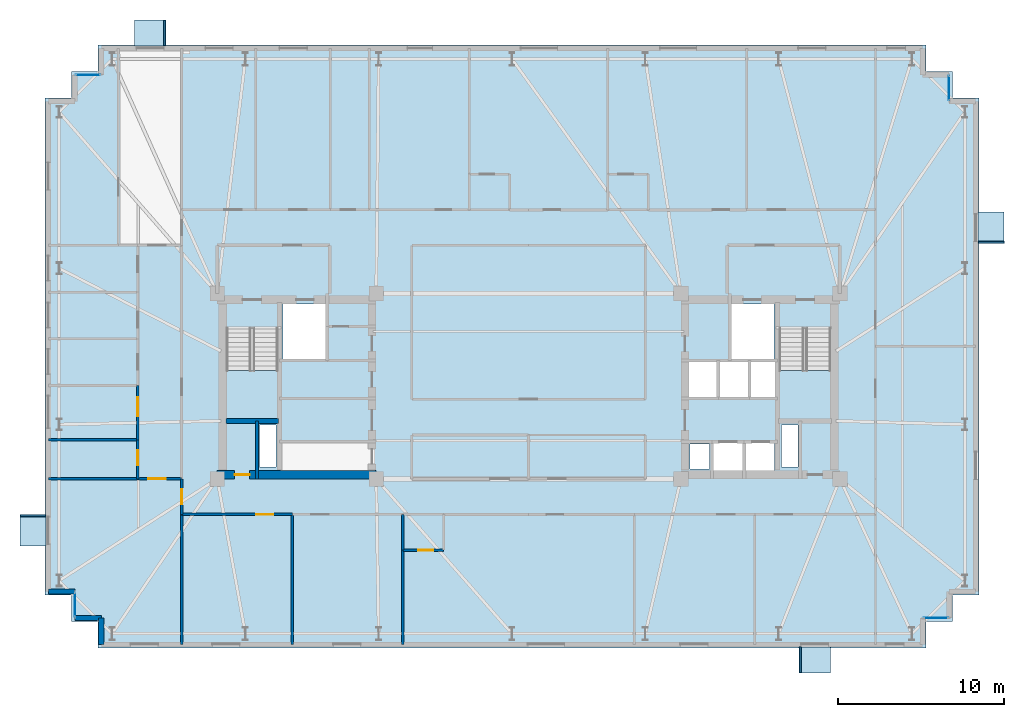
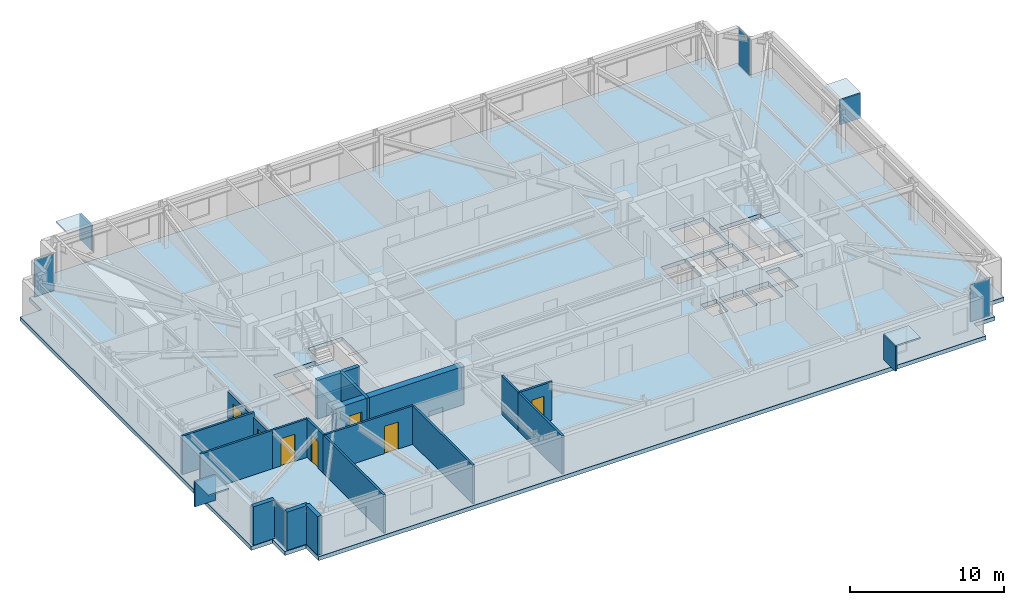
# One storey, part 10 of 17: 18 walls, 12 plates, 7 doors, 3 slabs, 7 openings, 6 elements without a shape of their own.
"""IFC4 building model written with IfcOpenShell, lengths in metres."""

from ifc_helpers import new_model, si_unit, direction, frame, frame_2d, origin, origin_2d, place, context, subcontext, project, spatial, polyline, rectangle, outline, extrude, material, layer, layer_set, type_object, element, fill, aggregate, save


model = new_model("IFC4")

# Units and contexts
model_context = context("Model", 3, precision=1e-05, world=origin(), true_north=direction((0.0, 1.0)))
body_context = subcontext(model_context, "Body", "Model", "MODEL_VIEW")
ifc_project = project(units=[si_unit("LENGTHUNIT", "METRE"), si_unit("AREAUNIT", "SQUARE_METRE"), si_unit("VOLUMEUNIT", "CUBIC_METRE"), si_unit("PLANEANGLEUNIT", "RADIAN"), si_unit("MASSUNIT", "GRAM", prefix="KILO")], contexts=[model_context])

# Site, building, storey
site_placement = place(None, origin())
site = spatial("IfcSite", under=ifc_project, at=site_placement, CompositionType="ELEMENT")
building_placement = place(site_placement, origin())
building = spatial("IfcBuilding", under=site, at=building_placement, Name="Qobustan Lattice House", CompositionType="ELEMENT")
storey_placement = place(building_placement, frame((0.0, 0.0, 164.5)))
storey = spatial("IfcBuildingStorey", under=building, at=storey_placement, Name="L46", CompositionType="ELEMENT", Elevation=164.5)

# Curtain wall, plate
ifc_material_1 = material(Name="Anodised aluminium and low-E glazing", Category="aluminium")
ifc_layer_1 = layer(ifc_material_1, 0.219970703125)
ifc_layer_set_1 = layer_set([ifc_layer_1], Name="Anodised aluminium and low-E glazing")
curtain_wall_type = type_object("IfcCurtainWallType", Name="CW-FAC-02", PredefinedType="USERDEFINED", material=ifc_layer_set_1)
curtain_wall_1_placement = place(storey_placement, origin())
curtain_wall_1 = element("IfcCurtainWall", 1, at=curtain_wall_1_placement, inside=storey, type_object=curtain_wall_type, Name="L46 serrated corner faceted glazing 3", ObjectType="CURTAIN WALL", PredefinedType="USERDEFINED")
ifc_material_2 = material(Name="Clear low-E laminated glass", Category="glass")
ifc_layer_2 = layer(ifc_material_2, 0.031982421875)
ifc_layer_set_2 = layer_set([ifc_layer_2], Name="Clear low-E laminated glass")
plate_type_1 = type_object("IfcPlateType", Name="CWP-VISION-32", PredefinedType="CURTAIN_PANEL", material=ifc_layer_set_2)
plate_1_placement = place(storey_placement, frame((-27.39990234375, -13.199951171875, 0.06494140625), z_axis=(0.0, 0.0, 1.0), x_axis=(0.0, 1.0, 0.0)))
plate_1 = element("IfcPlate", 2, at=plate_1_placement, type_object=plate_type_1, Name="CW-F2 panel 1.1", PredefinedType="CURTAIN_PANEL", context=body_context, shape_type="SweptSolid", body=[
    extrude(rectangle(XDim=1.4599609375, YDim=0.031982421875, at=origin_2d()), origin(), (0.0, 0.0, 1.0), 2.909912109375),
])
aggregate(curtain_wall_1, [plate_1])

curtain_wall_2_placement = place(storey_placement, origin())
curtain_wall_2 = element("IfcCurtainWall", 3, at=curtain_wall_2_placement, inside=storey, type_object=curtain_wall_type, Name="L46 serrated corner faceted glazing 8", ObjectType="CURTAIN WALL", PredefinedType="USERDEFINED")
plate_2_placement = place(storey_placement, frame((-26.60009765625, 18.800048828125, 0.06494140625), z_axis=(0.0, 0.0, 1.0), x_axis=(1.0, 0.0, 0.0)))
plate_2 = element("IfcPlate", 4, at=plate_2_placement, type_object=plate_type_1, Name="CW-F2 panel 1.1", PredefinedType="CURTAIN_PANEL", context=body_context, shape_type="SweptSolid", body=[
    extrude(rectangle(XDim=1.4599609375, YDim=0.031982421875, at=origin_2d()), origin(), (0.0, 0.0, 1.0), 2.909912109375),
])
aggregate(curtain_wall_2, [plate_2])

curtain_wall_3_placement = place(storey_placement, origin())
curtain_wall_3 = element("IfcCurtainWall", 5, at=curtain_wall_3_placement, inside=storey, type_object=curtain_wall_type, Name="L46 serrated corner faceted glazing 13", ObjectType="CURTAIN WALL", PredefinedType="USERDEFINED")
plate_3_placement = place(storey_placement, frame((25.39990234375, 18.0, 0.06494140625), z_axis=(0.0, 0.0, 1.0), x_axis=(0.0, -1.0, 0.0)))
plate_3 = element("IfcPlate", 6, at=plate_3_placement, type_object=plate_type_1, Name="CW-F2 panel 1.1", PredefinedType="CURTAIN_PANEL", context=body_context, shape_type="SweptSolid", body=[
    extrude(rectangle(XDim=1.4599609375, YDim=0.031982421875, at=origin_2d()), origin(), (0.0, 0.0, 1.0), 2.909912109375),
])
aggregate(curtain_wall_3, [plate_3])

curtain_wall_4_placement = place(storey_placement, origin())
curtain_wall_4 = element("IfcCurtainWall", 7, at=curtain_wall_4_placement, inside=storey, type_object=curtain_wall_type, Name="L46 serrated corner faceted glazing 18", ObjectType="CURTAIN WALL", PredefinedType="USERDEFINED")
plate_4_placement = place(storey_placement, frame((24.60009765625, -14.0, 0.06494140625), z_axis=(0.0, 0.0, 1.0), x_axis=(-1.0, 0.0, 0.0)))
plate_4 = element("IfcPlate", 8, at=plate_4_placement, type_object=plate_type_1, Name="CW-F2 panel 1.1", PredefinedType="CURTAIN_PANEL", context=body_context, shape_type="SweptSolid", body=[
    extrude(rectangle(XDim=1.4599609375, YDim=0.031982421875, at=origin_2d()), origin(), (0.0, 0.0, 1.0), 2.909912109375),
])
aggregate(curtain_wall_4, [plate_4])

# Plates
ifc_material_3 = material(Name="Qobustan limestone GFRC", Category="masonry")
ifc_layer_3 = layer(ifc_material_3, 0.1201171875)
ifc_layer_set_3 = layer_set([ifc_layer_3], Name="Qobustan limestone GFRC")
plate_type_2 = type_object("IfcPlateType", Name="SHD-HOOD-BROW", PredefinedType="USERDEFINED", material=ifc_layer_set_3)
plate_5_placement = place(storey_placement, frame((-29.929931640625, -8.719970703125, 2.699951171875), z_axis=(0.0, 0.0, 1.0), x_axis=(0.0, 1.0, 0.0)))
element("IfcPlate", 9, at=plate_5_placement, inside=storey, type_object=plate_type_2, Name="L46 splayed Qobustan stone hood brow", ObjectType="SUNSHADE", PredefinedType="USERDEFINED", context=body_context, shape_type="SweptSolid", body=[
    extrude(rectangle(XDim=1.889892578125, YDim=1.56005859375, at=origin_2d()), origin(), (0.0, 0.0, 1.0), 0.1201171875),
])
plate_6_placement = place(storey_placement, frame((-29.929931640625, -7.8349609375, 0.7900390625), z_axis=(0.0, 0.0, 1.0), x_axis=(0.0, 1.0, 0.0)))
element("IfcPlate", 10, at=plate_6_placement, inside=storey, type_object=plate_type_2, Name="L46 splayed Qobustan stone hood cheek", ObjectType="SUNSHADE", PredefinedType="USERDEFINED", context=body_context, shape_type="SweptSolid", body=[
    extrude(rectangle(XDim=0.1201171875, YDim=1.56005859375, at=origin_2d()), origin(), (0.0, 0.0, 1.0), 1.969970703125),
])
plate_7_placement = place(storey_placement, frame((-22.840087890625, 21.330078125, 2.699951171875), z_axis=(0.0, 0.0, 1.0), x_axis=(1.0, 0.0, 0.0)))
element("IfcPlate", 11, at=plate_7_placement, inside=storey, type_object=plate_type_2, Name="L46 splayed Qobustan stone hood brow", ObjectType="SUNSHADE", PredefinedType="USERDEFINED", context=body_context, shape_type="SweptSolid", body=[
    extrude(rectangle(XDim=1.889892578125, YDim=1.56005859375, at=origin_2d()), origin(), (0.0, 0.0, 1.0), 0.1201171875),
])
plate_8_placement = place(storey_placement, frame((-21.955078125, 21.330078125, 0.7900390625), z_axis=(0.0, 0.0, 1.0), x_axis=(1.0, 0.0, 0.0)))
element("IfcPlate", 12, at=plate_8_placement, inside=storey, type_object=plate_type_2, Name="L46 splayed Qobustan stone hood cheek", ObjectType="SUNSHADE", PredefinedType="USERDEFINED", context=body_context, shape_type="SweptSolid", body=[
    extrude(rectangle(XDim=0.1201171875, YDim=1.56005859375, at=origin_2d()), origin(), (0.0, 0.0, 1.0), 1.969970703125),
])
plate_9_placement = place(storey_placement, frame((27.929931640625, 9.56005859375, 2.699951171875), z_axis=(0.0, 0.0, 1.0), x_axis=(0.0, -1.0, 0.0)))
element("IfcPlate", 13, at=plate_9_placement, inside=storey, type_object=plate_type_2, Name="L46 splayed Qobustan stone hood brow", ObjectType="SUNSHADE", PredefinedType="USERDEFINED", context=body_context, shape_type="SweptSolid", body=[
    extrude(rectangle(XDim=1.889892578125, YDim=1.56005859375, at=origin_2d()), origin(), (0.0, 0.0, 1.0), 0.1201171875),
])
plate_10_placement = place(storey_placement, frame((27.929931640625, 8.675048828125, 0.7900390625), z_axis=(0.0, 0.0, 1.0), x_axis=(0.0, -1.0, 0.0)))
element("IfcPlate", 14, at=plate_10_placement, inside=storey, type_object=plate_type_2, Name="L46 splayed Qobustan stone hood cheek", ObjectType="SUNSHADE", PredefinedType="USERDEFINED", context=body_context, shape_type="SweptSolid", body=[
    extrude(rectangle(XDim=0.1201171875, YDim=1.56005859375, at=origin_2d()), origin(), (0.0, 0.0, 1.0), 1.969970703125),
])
plate_11_placement = place(storey_placement, frame((17.280029296875, -16.530029296875, 2.699951171875), z_axis=(0.0, 0.0, 1.0), x_axis=(-1.0, 0.0, 0.0)))
element("IfcPlate", 15, at=plate_11_placement, inside=storey, type_object=plate_type_2, Name="L46 splayed Qobustan stone hood brow", ObjectType="SUNSHADE", PredefinedType="USERDEFINED", context=body_context, shape_type="SweptSolid", body=[
    extrude(rectangle(XDim=1.889892578125, YDim=1.56005859375, at=origin_2d()), origin(), (0.0, 0.0, 1.0), 0.1201171875),
])
plate_12_placement = place(storey_placement, frame((16.39501953125, -16.530029296875, 0.7900390625), z_axis=(0.0, 0.0, 1.0), x_axis=(-1.0, 0.0, 0.0)))
element("IfcPlate", 16, at=plate_12_placement, inside=storey, type_object=plate_type_2, Name="L46 splayed Qobustan stone hood cheek", ObjectType="SUNSHADE", PredefinedType="USERDEFINED", context=body_context, shape_type="SweptSolid", body=[
    extrude(rectangle(XDim=0.1201171875, YDim=1.56005859375, at=origin_2d()), origin(), (0.0, 0.0, 1.0), 1.969970703125),
])

# Slab
ifc_material_4 = material(Name="Concrete C40/50", Category="concrete")
ifc_layer_4 = layer(ifc_material_4, 0.31005859375)
ifc_layer_set_4 = layer_set([ifc_layer_4], Name="Concrete C40/50")
slab_type_1 = type_object("IfcSlabType", Name="SLB-FLR-310", PredefinedType="FLOOR", material=ifc_layer_set_4)
slab_1_placement = place(storey_placement, frame((0.0, 0.0, -0.31005859375)))
element("IfcSlab", 17, at=slab_1_placement, inside=storey, type_object=slab_type_1, Name="L46 structural floor slab", PredefinedType="FLOOR", context=body_context, shape_type="SweptSolid", body=[
    extrude(outline(polyline([(-26.0, -15.800048828125), (24.0, -15.800048828125), (24.0, -14.199951171875), (25.60009765625, -14.199951171875), (25.60009765625, -12.60009765625), (27.199951171875, -12.60009765625), (27.199951171875, 17.39990234375), (25.60009765625, 17.39990234375), (25.60009765625, 19.0), (24.0, 19.0), (24.0, 20.60009765625), (-26.0, 20.60009765625), (-26.0, 19.0), (-27.60009765625, 19.0), (-27.60009765625, 17.39990234375), (-29.199951171875, 17.39990234375), (-29.199951171875, -12.60009765625), (-27.60009765625, -12.60009765625), (-27.60009765625, -14.199951171875), (-26.0, -14.199951171875), (-26.0, -15.800048828125)]), holes=[polyline([(-18.25, -2.050048828125), (-18.25, 3.489990234375), (-15.1298828125, 3.489990234375), (-15.1298828125, -2.050048828125), (-18.25, -2.050048828125)]), polyline([(15.1298828125, -2.050048828125), (15.1298828125, 3.489990234375), (18.25, 3.489990234375), (18.25, -2.050048828125), (15.1298828125, -2.050048828125)]), polyline([(-14.820068359375, 1.64990234375), (-14.820068359375, 4.9599609375), (-12.25, 4.9599609375), (-12.25, 1.64990234375), (-14.820068359375, 1.64990234375)]), polyline([(12.25, 1.64990234375), (12.25, 4.9599609375), (14.820068359375, 4.9599609375), (14.820068359375, 1.64990234375), (12.25, 1.64990234375)]), polyline([(-16.260009765625, -4.8798828125), (-16.260009765625, -2.360107421875), (-15.260009765625, -2.360107421875), (-15.260009765625, -4.8798828125), (-16.260009765625, -4.8798828125)]), polyline([(15.260009765625, -4.8798828125), (15.260009765625, -2.360107421875), (16.260009765625, -2.360107421875), (16.260009765625, -4.8798828125), (15.260009765625, -4.8798828125)]), polyline([(11.179931640625, -5.35009765625), (11.179931640625, -3.419921875), (12.919921875, -3.419921875), (12.919921875, -5.35009765625), (11.179931640625, -5.35009765625)]), polyline([(13.1201171875, -5.35009765625), (13.1201171875, -3.419921875), (14.85009765625, -3.419921875), (14.85009765625, -5.35009765625), (13.1201171875, -5.35009765625)]), polyline([(9.760009765625, -5.0), (9.760009765625, -3.47998046875), (10.93994140625, -3.47998046875), (10.93994140625, -5.0), (9.760009765625, -5.0)]), polyline([(13.360107421875, -0.679931640625), (13.360107421875, 1.47998046875), (14.97998046875, 1.47998046875), (14.97998046875, -0.679931640625), (13.360107421875, -0.679931640625)]), polyline([(9.6201171875, -0.679931640625), (9.6201171875, 1.47998046875), (11.43994140625, 1.47998046875), (11.43994140625, -0.679931640625), (9.6201171875, -0.679931640625)]), polyline([(11.5, -0.679931640625), (11.5, 1.47998046875), (13.320068359375, 1.47998046875), (13.320068359375, -0.679931640625), (11.5, -0.679931640625)])]), origin(), (0.0, 0.0, 1.0), 0.31005859375),
])

# Stair, slab
ifc_material_5 = material(Name="Concrete C40/50", Category="concrete")
stair_type = type_object("IfcStairType", Name="STR-CORE-DOGLEG", PredefinedType="HALF_TURN_STAIR", material=ifc_material_5)
stair_1_placement = place(storey_placement, origin())
stair_1 = element("IfcStair", 18, at=stair_1_placement, inside=storey, type_object=stair_type, Name="L46 West protected exit stair ST-W1", PredefinedType="HALF_TURN_STAIR")
ifc_material_6 = material(Name="Concrete C40/50", Category="concrete")
ifc_layer_5 = layer(ifc_material_6, 0.199951171875)
ifc_layer_set_5 = layer_set([ifc_layer_5], Name="Concrete C40/50")
slab_type_2 = type_object("IfcSlabType", Name="SLB-LANDING-200", PredefinedType="LANDING", material=ifc_layer_set_5)
slab_2_placement = place(storey_placement, frame((0.0, 0.0, 1.47509765625)))
slab_2 = element("IfcSlab", 19, at=slab_2_placement, type_object=slab_type_2, Name="ST-W1 landing 1", PredefinedType="LANDING", context=body_context, shape_type="SweptSolid", body=[
    extrude(outline(polyline([(-18.25, 0.93505859375), (-18.25, -2.050048828125), (-15.1298828125, -2.050048828125), (-15.1298828125, 0.93505859375), (-18.25, 0.93505859375)])), origin(), (0.0, 0.0, 1.0), 0.199951171875),
])
aggregate(stair_1, [slab_2])

stair_2_placement = place(storey_placement, origin())
stair_2 = element("IfcStair", 20, at=stair_2_placement, inside=storey, type_object=stair_type, Name="L46 East protected exit stair ST-E1", PredefinedType="HALF_TURN_STAIR")
slab_3_placement = place(storey_placement, frame((0.0, 0.0, 1.47509765625)))
slab_3 = element("IfcSlab", 21, at=slab_3_placement, type_object=slab_type_2, Name="ST-E1 landing 1", PredefinedType="LANDING", context=body_context, shape_type="SweptSolid", body=[
    extrude(outline(polyline([(15.1298828125, 0.93505859375), (15.1298828125, -2.050048828125), (18.25, -2.050048828125), (18.25, 0.93505859375), (15.1298828125, 0.93505859375)])), origin(), (0.0, 0.0, 1.0), 0.199951171875),
])
aggregate(stair_2, [slab_3])

# Wall, opening, door
ifc_material_7 = material(Name="Concrete C50/60", Category="concrete")
ifc_layer_6 = layer(ifc_material_7, 0.5)
ifc_layer_set_6 = layer_set([ifc_layer_6], Name="Concrete C50/60")
wall_type_1 = type_object("IfcWallType", Name="WAL-CORE-500", PredefinedType="SHEAR", material=ifc_layer_set_6)
wall_1_placement = place(storey_placement, frame((-18.800048828125, -5.35009765625, 0.0), z_axis=(0.0, 0.0, 1.0), x_axis=(1.0, 0.0, 0.0)))
wall_1 = element("IfcWall", 22, at=wall_1_placement, inside=storey, type_object=wall_type_1, Name="L46 split-core shear wall CW-S", PredefinedType="SHEAR", context=body_context, shape_type="SweptSolid", body=[
    extrude(rectangle(XDim=9.60009765625, YDim=0.5, at=frame_2d((4.800048828125, 0.0))), origin(), (0.0, 0.0, 1.0), 3.0400390625),
])
opening_1_placement = place(wall_1_placement, frame((1.050048828125, 0.0, 0.0)))
opening_1 = element("IfcOpeningElement", 23, at=opening_1_placement, cuts=wall_1, Name="Opening RD-01", PredefinedType="OPENING", context=body_context, shape_type="SweptSolid", body=[
    extrude(rectangle(XDim=0.89990234375, YDim=2.10009765625, at=frame_2d((0.449951171875, 1.050048828125))), frame((0.0, 0.260009765625, 0.0), z_axis=(0.0, -1.0, 0.0), x_axis=(1.0, 0.0, 0.0)), (0.0, 0.0, 1.0), 0.52001953125),
])
ifc_material_8 = material(Name="Persian walnut timber and steel frame door", Category="steel")
door_type_1 = type_object("IfcDoorType", Name="DOR-RISER-FD-900x2100", OperationType="NOTDEFINED", PredefinedType="DOOR", material=ifc_material_8)
door_1_placement = place(opening_1_placement, origin())
door_1 = element("IfcDoor", 24, at=door_1_placement, inside=storey, type_object=door_type_1, Name="L46 core service riser access door W", OperationType="SINGLE_SWING_LEFT", OverallHeight=2.10009765625, OverallWidth=0.89990234375, PredefinedType="DOOR", context=body_context, shape_type="SweptSolid", body=[
    extrude(rectangle(XDim=0.89990234375, YDim=2.10009765625, at=frame_2d((0.449951171875, 1.050048828125))), frame((0.0, 0.02490234375, 0.0), z_axis=(0.0, -1.0, 0.0), x_axis=(1.0, 0.0, 0.0)), (0.0, 0.0, 1.0), 0.050048828125),
])
fill(opening_1, door_1)

# Walls
ifc_material_9 = material(Name="Concrete C50/60", Category="concrete")
ifc_layer_7 = layer(ifc_material_9, 0.280029296875)
ifc_layer_set_7 = layer_set([ifc_layer_7], Name="Concrete C50/60")
wall_type_2 = type_object("IfcWallType", Name="WAL-CORE-SPINE-280", PredefinedType="SHEAR", material=ifc_layer_set_7)
wall_2_placement = place(storey_placement, frame((-18.280029296875, -2.110107421875, 0.0), z_axis=(0.0, 0.0, 1.0), x_axis=(1.0, 0.0, 0.0)))
element("IfcWall", 25, at=wall_2_placement, inside=storey, type_object=wall_type_2, Name="L46 split-core shear wall CW-ST", PredefinedType="SHEAR", context=body_context, shape_type="SweptSolid", body=[
    extrude(rectangle(XDim=3.179931640625, YDim=0.300048828125, at=frame_2d((1.58984375, 0.0))), origin(), (0.0, 0.0, 1.0), 3.0400390625),
])
ifc_material_10 = material(Name="Precast concrete C40/50", Category="concrete")
ifc_layer_8 = layer(ifc_material_10, 0.320068359375)
ifc_layer_set_8 = layer_set([ifc_layer_8], Name="Precast concrete C40/50")
wall_type_3 = type_object("IfcWallType", Name="WAL-EXT-STONE-320", PredefinedType="SOLIDWALL", material=ifc_layer_set_8)
wall_3_placement = place(storey_placement, frame((-25.800048828125, -15.60009765625, 0.0), z_axis=(0.0, 0.0, 1.0), x_axis=(0.0, 1.0, 0.0)))
element("IfcWall", 26, at=wall_3_placement, inside=storey, type_object=wall_type_3, Name="L46 exterior limestone-clad wall 1", PredefinedType="SOLIDWALL", context=body_context, shape_type="SweptSolid", body=[
    extrude(rectangle(XDim=1.60009765625, YDim=0.320068359375, at=frame_2d((0.800048828125, 0.0))), origin(), (0.0, 0.0, 1.0), 3.0400390625),
])
wall_4_placement = place(storey_placement, frame((-25.800048828125, -14.0, 0.0), z_axis=(0.0, 0.0, 1.0), x_axis=(-1.0, 0.0, 0.0)))
element("IfcWall", 27, at=wall_4_placement, inside=storey, type_object=wall_type_3, Name="L46 exterior limestone-clad wall 2", PredefinedType="SOLIDWALL", context=body_context, shape_type="SweptSolid", body=[
    extrude(rectangle(XDim=1.599853515625, YDim=0.320068359375, at=frame_2d((0.7998046875, 0.0))), origin(), (0.0, 0.0, 1.0), 3.0400390625),
])
wall_5_placement = place(storey_placement, frame((-27.39990234375, -12.39990234375, 0.0), z_axis=(0.0, 0.0, 1.0), x_axis=(-1.0, 0.0, 0.0)))
element("IfcWall", 28, at=wall_5_placement, inside=storey, type_object=wall_type_3, Name="L46 exterior limestone-clad wall 4", PredefinedType="SOLIDWALL", context=body_context, shape_type="SweptSolid", body=[
    extrude(rectangle(XDim=1.60009765625, YDim=0.320068359375, at=frame_2d((0.800048828125, 0.0))), origin(), (0.0, 0.0, 1.0), 3.0400390625),
])

# Wall, opening, door
ifc_material_11 = material(Name="Acoustic twin-stud gypsum partition", Category="gypsum")
ifc_layer_9 = layer(ifc_material_11, 0.14990234375)
ifc_layer_set_9 = layer_set([ifc_layer_9], Name="Acoustic twin-stud gypsum partition")
wall_type_4 = type_object("IfcWallType", Name="WAL-PART-150", PredefinedType="PARTITIONING", material=ifc_layer_set_9)
wall_6_placement = place(storey_placement, frame((-20.949951171875, -7.75, 0.0), z_axis=(0.0, 0.0, 1.0), x_axis=(0.0, 1.0, 0.0)))
wall_6 = element("IfcWall", 29, at=wall_6_placement, inside=storey, type_object=wall_type_4, Name="L46 interior partition 46", PredefinedType="PARTITIONING", context=body_context, shape_type="SweptSolid", body=[
    extrude(rectangle(XDim=2.14990234375, YDim=0.14990234375, at=frame_2d((1.074951171875, 0.0))), origin(), (0.0, 0.0, 1.0), 3.0400390625),
])
opening_2_placement = place(wall_6_placement, frame((0.625, 0.0, 0.0)))
opening_2 = element("IfcOpeningElement", 30, at=opening_2_placement, cuts=wall_6, Name="Opening WD-01", PredefinedType="OPENING", context=body_context, shape_type="SweptSolid", body=[
    extrude(rectangle(XDim=0.89990234375, YDim=2.10009765625, at=frame_2d((0.449951171875, 1.050048828125))), frame((0.0, 0.0849609375, 0.0), z_axis=(0.0, -1.0, 0.0), x_axis=(1.0, 0.0, 0.0)), (0.0, 0.0, 1.0), 0.169921875),
])
ifc_material_12 = material(Name="Persian walnut timber and steel frame door", Category="steel")
door_type_2 = type_object("IfcDoorType", Name="DOR-WET-900x2100", OperationType="NOTDEFINED", PredefinedType="DOOR", material=ifc_material_12)
door_2_placement = place(opening_2_placement, origin())
door_2 = element("IfcDoor", 31, at=door_2_placement, inside=storey, type_object=door_type_2, Name="L46 South-west floor corridor to Reading study room L46WS door", OperationType="SINGLE_SWING_RIGHT", OverallHeight=2.10009765625, OverallWidth=0.89990234375, PredefinedType="DOOR", context=body_context, shape_type="SweptSolid", body=[
    extrude(rectangle(XDim=0.89990234375, YDim=2.10009765625, at=frame_2d((0.449951171875, 1.050048828125))), frame((0.0, 0.02490234375, 0.0), z_axis=(0.0, -1.0, 0.0), x_axis=(1.0, 0.0, 0.0)), (0.0, 0.0, 1.0), 0.050048828125),
])
fill(opening_2, door_2)

wall_7_placement = place(storey_placement, frame((-14.2666015625, -7.75, 0.0), z_axis=(0.0, 0.0, 1.0), x_axis=(-1.0, 0.0, 0.0)))
wall_7 = element("IfcWall", 32, at=wall_7_placement, inside=storey, type_object=wall_type_4, Name="L46 interior partition 47", PredefinedType="PARTITIONING", context=body_context, shape_type="SweptSolid", body=[
    extrude(rectangle(XDim=6.683349609375, YDim=0.14990234375, at=frame_2d((3.341796875, 0.0))), origin(), (0.0, 0.0, 1.0), 3.0400390625),
])
opening_3_placement = place(wall_7_placement, frame((1.13916015625, 0.0, 0.0)))
opening_3 = element("IfcOpeningElement", 33, at=opening_3_placement, cuts=wall_7, Name="Opening ID-02", PredefinedType="OPENING", context=body_context, shape_type="SweptSolid", body=[
    extrude(rectangle(XDim=1.050048828125, YDim=2.14990234375, at=frame_2d((0.52490234375, 1.074951171875))), frame((0.0, 0.0849609375, 0.0), z_axis=(0.0, -1.0, 0.0), x_axis=(1.0, 0.0, 0.0)), (0.0, 0.0, 1.0), 0.169921875),
])
ifc_material_13 = material(Name="Persian walnut timber and steel frame door", Category="steel")
door_type_3 = type_object("IfcDoorType", Name="DOR-STUDY-1050x2150", OperationType="NOTDEFINED", PredefinedType="DOOR", material=ifc_material_13)
door_3_placement = place(opening_3_placement, origin())
door_3 = element("IfcDoor", 34, at=door_3_placement, inside=storey, type_object=door_type_3, Name="L46 South-west floor corridor to Focus study room S1A door", OperationType="SINGLE_SWING_LEFT", OverallHeight=2.14990234375, OverallWidth=1.050048828125, PredefinedType="DOOR", context=body_context, shape_type="SweptSolid", body=[
    extrude(rectangle(XDim=1.050048828125, YDim=2.14990234375, at=frame_2d((0.52490234375, 1.074951171875))), frame((0.0, 0.02490234375, 0.0), z_axis=(0.0, -1.0, 0.0), x_axis=(1.0, 0.0, 0.0)), (0.0, 0.0, 1.0), 0.050048828125),
])
fill(opening_3, door_3)

wall_8_placement = place(storey_placement, frame((-20.949951171875, -5.60009765625, 0.0), z_axis=(0.0, 0.0, 1.0), x_axis=(-1.0, 0.0, 0.0)))
wall_8 = element("IfcWall", 35, at=wall_8_placement, inside=storey, type_object=wall_type_4, Name="L46 interior partition 68", PredefinedType="PARTITIONING", context=body_context, shape_type="SweptSolid", body=[
    extrude(rectangle(XDim=2.650146484375, YDim=0.14990234375, at=frame_2d((1.3251953125, 0.0))), origin(), (0.0, 0.0, 1.0), 3.0400390625),
])
opening_4_placement = place(wall_8_placement, frame((0.965087890625, 0.0, 0.0)))
opening_4 = element("IfcOpeningElement", 36, at=opening_4_placement, cuts=wall_8, Name="Opening ID-02", PredefinedType="OPENING", context=body_context, shape_type="SweptSolid", body=[
    extrude(rectangle(XDim=1.050048828125, YDim=2.14990234375, at=frame_2d((0.52490234375, 1.074951171875))), frame((0.0, 0.0849609375, 0.0), z_axis=(0.0, -1.0, 0.0), x_axis=(1.0, 0.0, 0.0)), (0.0, 0.0, 1.0), 0.169921875),
])
door_4_placement = place(opening_4_placement, origin())
door_4 = element("IfcDoor", 37, at=door_4_placement, inside=storey, type_object=door_type_3, Name="L46 Residence entrance hall L46W to Reading study room L46WS door", OperationType="SINGLE_SWING_LEFT", OverallHeight=2.14990234375, OverallWidth=1.050048828125, PredefinedType="DOOR", context=body_context, shape_type="SweptSolid", body=[
    extrude(rectangle(XDim=1.050048828125, YDim=2.14990234375, at=frame_2d((0.52490234375, 1.074951171875))), frame((0.0, 0.02490234375, 0.0), z_axis=(0.0, -1.0, 0.0), x_axis=(1.0, 0.0, 0.0)), (0.0, 0.0, 1.0), 0.050048828125),
])
fill(opening_4, door_4)

# Walls
for number, where, z_axis, x_axis, name in (
    (38, (-20.949951171875, -7.75, 0.0), (0.0, 0.0, 1.0), (0.0, -1.0, 0.0), "L46 interior partition 79"),
    (39, (-14.2666015625, -7.75, 0.0), (0.0, 0.0, 1.0), (0.0, -1.0, 0.0), "L46 interior partition 99"),
):
    element("IfcWall", number, at=place(storey_placement, frame(where, z_axis=z_axis, x_axis=x_axis)), inside=storey, type_object=wall_type_4, Name=name, PredefinedType="PARTITIONING", context=body_context, shape_type="SweptSolid", body=[
        extrude(rectangle(XDim=7.85009765625, YDim=0.14990234375, at=frame_2d((3.925048828125, 0.0))), origin(), (0.0, 0.0, 1.0), 3.0400390625),
    ])
wall_9_placement = place(storey_placement, frame((-7.5830078125, -9.89990234375, 0.0), z_axis=(0.0, 0.0, 1.0), x_axis=(0.0, -1.0, 0.0)))
element("IfcWall", 40, at=wall_9_placement, inside=storey, type_object=wall_type_4, Name="L46 interior partition 100", PredefinedType="PARTITIONING", context=body_context, shape_type="SweptSolid", body=[
    extrude(rectangle(XDim=5.7001953125, YDim=0.14990234375, at=frame_2d((2.85009765625, 0.0))), origin(), (0.0, 0.0, 1.0), 3.0400390625),
])

# Wall, opening, door
ifc_material_14 = material(Name="High-mass acoustic twin-stud partition", Category="gypsum")
ifc_layer_10 = layer(ifc_material_14, 0.1650390625)
ifc_layer_set_10 = layer_set([ifc_layer_10], Name="High-mass acoustic twin-stud partition")
wall_type_5 = type_object("IfcWallType", Name="WAL-PART-165", PredefinedType="PARTITIONING", material=ifc_layer_set_10)
wall_10_placement = place(storey_placement, frame((-23.60009765625, -3.25, 0.0), z_axis=(0.0, 0.0, 1.0), x_axis=(0.0, 1.0, 0.0)))
wall_10 = element("IfcWall", 41, at=wall_10_placement, inside=storey, type_object=wall_type_5, Name="L46 interior partition 70", PredefinedType="PARTITIONING", context=body_context, shape_type="SweptSolid", body=[
    extrude(rectangle(XDim=3.2900390625, YDim=0.1650390625, at=frame_2d((1.64501953125, 0.0))), origin(), (0.0, 0.0, 1.0), 2.695068359375),
])
opening_5_placement = place(wall_10_placement, frame((1.4375, 0.0, 0.0)))
opening_5 = element("IfcOpeningElement", 42, at=opening_5_placement, cuts=wall_10, Name="Opening ID-03", PredefinedType="OPENING", context=body_context, shape_type="SweptSolid", body=[
    extrude(rectangle(XDim=1.14990234375, YDim=2.14990234375, at=frame_2d((0.574951171875, 1.074951171875))), frame((0.0, 0.092529296875, 0.0), z_axis=(0.0, -1.0, 0.0), x_axis=(1.0, 0.0, 0.0)), (0.0, 0.0, 1.0), 0.18505859375),
])
ifc_material_15 = material(Name="Persian walnut timber and steel frame door", Category="steel")
door_type_4 = type_object("IfcDoorType", Name="DOR-KITCH-1150x2150", OperationType="NOTDEFINED", PredefinedType="DOOR", material=ifc_material_15)
door_5_placement = place(opening_5_placement, origin())
door_5 = element("IfcDoor", 43, at=door_5_placement, inside=storey, type_object=door_type_4, Name="L46 Residence entrance hall L46W to Shared kitchen L46W door", OperationType="SINGLE_SWING_LEFT", OverallHeight=2.14990234375, OverallWidth=1.14990234375, PredefinedType="DOOR", context=body_context, shape_type="SweptSolid", body=[
    extrude(rectangle(XDim=1.14990234375, YDim=2.14990234375, at=frame_2d((0.574951171875, 1.074951171875))), frame((0.0, 0.02490234375, 0.0), z_axis=(0.0, -1.0, 0.0), x_axis=(1.0, 0.0, 0.0)), (0.0, 0.0, 1.0), 0.050048828125),
])
fill(opening_5, door_5)

# Wall
ifc_material_16 = material(Name="Concrete C40/50", Category="concrete")
ifc_layer_11 = layer(ifc_material_16, 0.199951171875)
ifc_layer_set_11 = layer_set([ifc_layer_11], Name="Concrete C40/50")
wall_type_6 = type_object("IfcWallType", Name="WAL-SHAFT-200", PredefinedType="PARTITIONING", material=ifc_layer_set_11)
wall_11_placement = place(storey_placement, frame((-16.39990234375, -5.60009765625, 0.0), z_axis=(0.0, 0.0, 1.0), x_axis=(0.0, 1.0, 0.0)))
element("IfcWall", 44, at=wall_11_placement, inside=storey, type_object=wall_type_6, Name="L46 interior partition 1", PredefinedType="PARTITIONING", context=body_context, shape_type="SweptSolid", body=[
    extrude(rectangle(XDim=3.489990234375, YDim=0.199951171875, at=frame_2d((1.7451171875, 0.0))), origin(), (0.0, 0.0, 1.0), 3.0400390625),
])

# Wall, opening, door
ifc_material_17 = material(Name="Moisture-resistant acoustic plumbing wall", Category="gypsum")
ifc_layer_12 = layer(ifc_material_17, 0.14990234375)
ifc_layer_set_12 = layer_set([ifc_layer_12], Name="Moisture-resistant acoustic plumbing wall")
wall_type_7 = type_object("IfcWallType", Name="WAL-WET-150", PredefinedType="PLUMBINGWALL", material=ifc_layer_set_12)
wall_12_placement = place(storey_placement, frame((-23.60009765625, -5.60009765625, 0.0), z_axis=(0.0, 0.0, 1.0), x_axis=(0.0, 1.0, 0.0)))
wall_12 = element("IfcWall", 45, at=wall_12_placement, inside=storey, type_object=wall_type_7, Name="L46 interior partition 69", PredefinedType="PLUMBINGWALL", context=body_context, shape_type="SweptSolid", body=[
    extrude(rectangle(XDim=2.35009765625, YDim=0.14990234375, at=frame_2d((1.175048828125, 0.0))), origin(), (0.0, 0.0, 1.0), 2.695068359375),
])
opening_6_placement = place(wall_12_placement, frame((0.833740234375, 0.0, 0.0)))
opening_6 = element("IfcOpeningElement", 46, at=opening_6_placement, cuts=wall_12, Name="Opening WD-01", PredefinedType="OPENING", context=body_context, shape_type="SweptSolid", body=[
    extrude(rectangle(XDim=0.89990234375, YDim=2.10009765625, at=frame_2d((0.449951171875, 1.050048828125))), frame((0.0, 0.0849609375, 0.0), z_axis=(0.0, -1.0, 0.0), x_axis=(1.0, 0.0, 0.0)), (0.0, 0.0, 1.0), 0.169921875),
])
door_6_placement = place(opening_6_placement, origin())
door_6 = element("IfcDoor", 47, at=door_6_placement, inside=storey, type_object=door_type_2, Name="L46 Residence entrance hall L46W to Shared bathroom L46W door", OperationType="SINGLE_SWING_RIGHT", OverallHeight=2.10009765625, OverallWidth=0.89990234375, PredefinedType="DOOR", context=body_context, shape_type="SweptSolid", body=[
    extrude(rectangle(XDim=0.89990234375, YDim=2.10009765625, at=frame_2d((0.449951171875, 1.050048828125))), frame((0.0, 0.02490234375, 0.0), z_axis=(0.0, -1.0, 0.0), x_axis=(1.0, 0.0, 0.0)), (0.0, 0.0, 1.0), 0.050048828125),
])
fill(opening_6, door_6)

# Walls
for number, where, z_axis, x_axis, name in (
    (48, (-29.0, -5.60009765625, 0.0), (0.0, 0.0, 1.0), (1.0, 0.0, 0.0), "L46 interior partition 78"),
    (49, (-29.0, -3.25, 0.0), (0.0, 0.0, 1.0), (1.0, 0.0, 0.0), "L46 interior partition 80"),
):
    element("IfcWall", number, at=place(storey_placement, frame(where, z_axis=z_axis, x_axis=x_axis)), inside=storey, type_object=wall_type_7, Name=name, PredefinedType="PLUMBINGWALL", context=body_context, shape_type="SweptSolid", body=[
        extrude(rectangle(XDim=5.39990234375, YDim=0.14990234375, at=frame_2d((2.699951171875, 0.0))), origin(), (0.0, 0.0, 1.0), 3.0400390625),
    ])
wall_13_placement = place(storey_placement, frame((-7.5830078125, -7.75, 0.0), z_axis=(0.0, 0.0, 1.0), x_axis=(0.0, -1.0, 0.0)))
element("IfcWall", 50, at=wall_13_placement, inside=storey, type_object=wall_type_7, Name="L46 interior partition 101", PredefinedType="PLUMBINGWALL", context=body_context, shape_type="SweptSolid", body=[
    extrude(rectangle(XDim=2.14990234375, YDim=0.14990234375, at=frame_2d((1.074951171875, 0.0))), origin(), (0.0, 0.0, 1.0), 3.0400390625),
])

# Wall, opening, door
wall_14_placement = place(storey_placement, frame((-7.5830078125, -9.89990234375, 0.0), z_axis=(0.0, 0.0, 1.0), x_axis=(1.0, 0.0, 0.0)))
wall_14 = element("IfcWall", 51, at=wall_14_placement, inside=storey, type_object=wall_type_7, Name="L46 interior partition 102", PredefinedType="PLUMBINGWALL", context=body_context, shape_type="SweptSolid", body=[
    extrude(rectangle(XDim=2.449951171875, YDim=0.14990234375, at=frame_2d((1.22509765625, 0.0))), origin(), (0.0, 0.0, 1.0), 3.0400390625),
])
opening_7_placement = place(wall_14_placement, frame((0.92138671875, 0.0, 0.0)))
opening_7 = element("IfcOpeningElement", 52, at=opening_7_placement, cuts=wall_14, Name="Opening WD-01", PredefinedType="OPENING", context=body_context, shape_type="SweptSolid", body=[
    extrude(rectangle(XDim=0.89990234375, YDim=2.10009765625, at=frame_2d((0.449951171875, 1.050048828125))), frame((0.0, 0.0849609375, 0.0), z_axis=(0.0, -1.0, 0.0), x_axis=(1.0, 0.0, 0.0)), (0.0, 0.0, 1.0), 0.169921875),
])
door_7_placement = place(opening_7_placement, origin())
door_7 = element("IfcDoor", 53, at=door_7_placement, inside=storey, type_object=door_type_2, Name="L46 Kitchenette and studio apartment L46-S2 to En-suite bathroom L46-S2 door", OperationType="SINGLE_SWING_RIGHT", OverallHeight=2.10009765625, OverallWidth=0.89990234375, PredefinedType="DOOR", context=body_context, shape_type="SweptSolid", body=[
    extrude(rectangle(XDim=0.89990234375, YDim=2.10009765625, at=frame_2d((0.449951171875, 1.050048828125))), frame((0.0, 0.02490234375, 0.0), z_axis=(0.0, -1.0, 0.0), x_axis=(1.0, 0.0, 0.0)), (0.0, 0.0, 1.0), 0.050048828125),
])
fill(opening_7, door_7)

save(model, "model.ifc")
